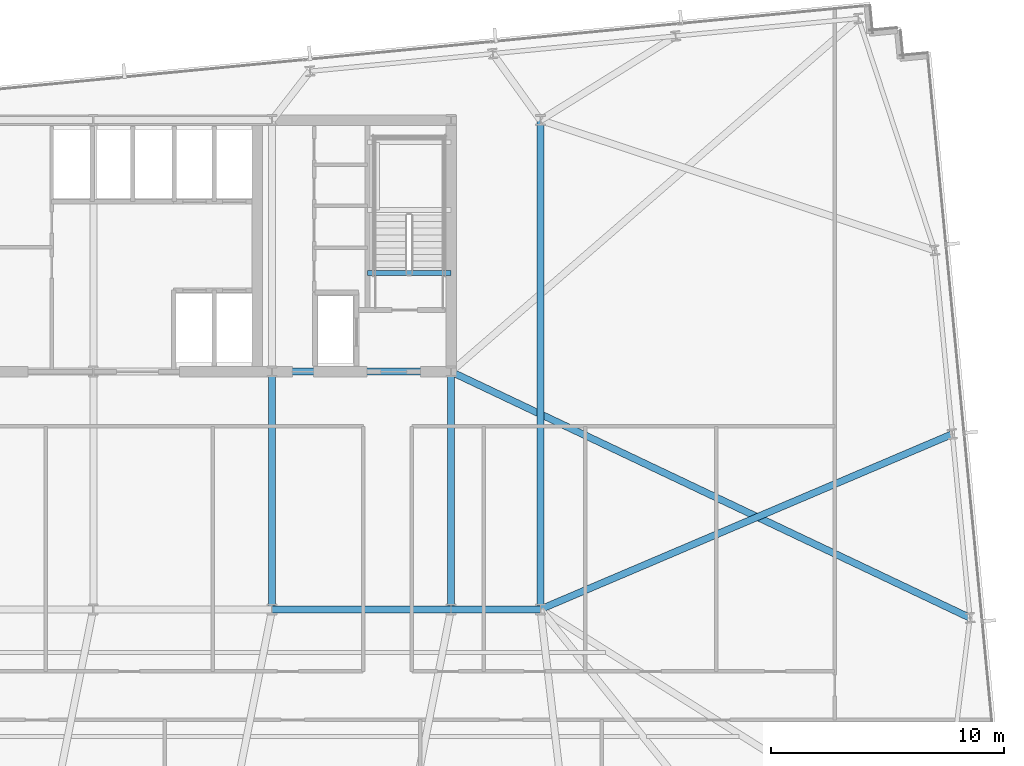
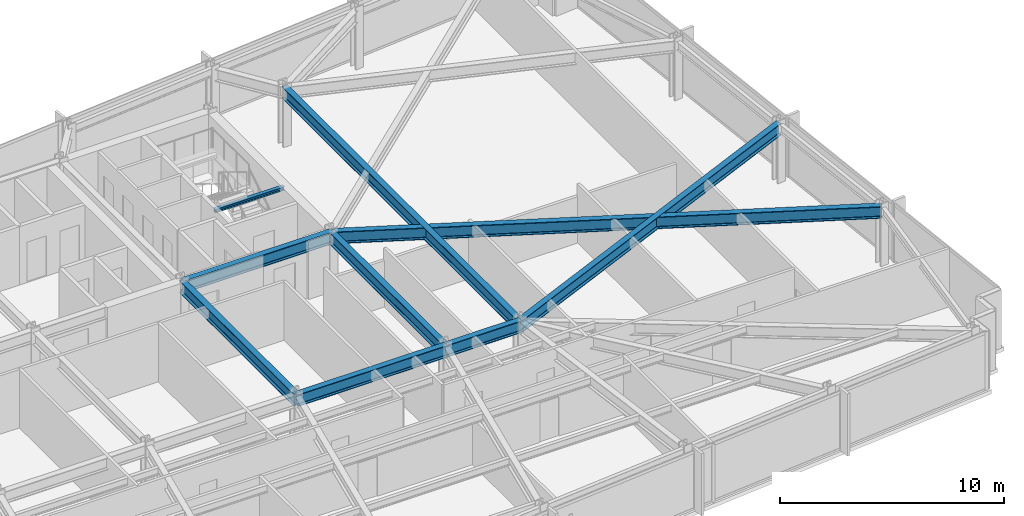
# One storey, part 15 of 33: 9 beams.
"""IFC4 building model written with IfcOpenShell, lengths in metres."""

from ifc_helpers import new_model, si_unit, direction, frame, origin, origin_2d, place, context, subcontext, project, spatial, i_section, extrude, material, material_profile, profile_set, type_object, element, save


model = new_model("IFC4")

# Units and contexts
model_context = context("Model", 3, precision=1e-05, world=origin(), true_north=direction((0.0, 1.0)))
body_context = subcontext(model_context, "Body", "Model", "MODEL_VIEW")
ifc_project = project(units=[si_unit("LENGTHUNIT", "METRE"), si_unit("AREAUNIT", "SQUARE_METRE"), si_unit("VOLUMEUNIT", "CUBIC_METRE"), si_unit("PLANEANGLEUNIT", "RADIAN"), si_unit("MASSUNIT", "GRAM", prefix="KILO")], contexts=[model_context])

# Site, building, storey
site_placement = place(None, origin())
site = spatial("IfcSite", under=ifc_project, at=site_placement, CompositionType="ELEMENT")
building_placement = place(site_placement, origin())
building = spatial("IfcBuilding", under=site, at=building_placement, Name="Yelkora Congress Tower", CompositionType="ELEMENT")
storey_placement = place(building_placement, frame((0.0, 0.0, 127.10009765625)))
storey = spatial("IfcBuildingStorey", under=building, at=storey_placement, Name="L34", CompositionType="ELEMENT", Elevation=127.10009765625)

# Beams
ifc_material = material(Name="Steel S355J2", Category="steel")
ifc_material_profile_1 = material_profile(ifc_material, i_section(OverallWidth=0.300048828125, OverallDepth=0.64990234375, WebThickness=0.01611328125, FlangeThickness=0.031005859375, FilletRadius=0.027099609375, at=origin_2d()), Name="HEB 650")
ifc_profile_set_1 = profile_set([ifc_material_profile_1], Name="Steel S355J2")
beam_type_1 = type_object("IfcBeamType", Name="BM-GIRD-HEB650", PredefinedType="BEAM", material=ifc_profile_set_1)
beam_1_placement = place(storey_placement, frame((46.080078125, 25.199951171875, 2.85498046875), z_axis=(1.0, 0.0, 0.0), x_axis=(0.0, 1.0, 0.0)))
element("IfcBeam", 1, at=beam_1_placement, inside=storey, type_object=beam_type_1, Name="L34 Spine Grid D Girder 5", PredefinedType="BEAM", context=body_context, shape_type="SweptSolid", body=[
    extrude(i_section(OverallWidth=0.300048828125, OverallDepth=0.64990234375, WebThickness=0.01611328125, FlangeThickness=0.031005859375, FilletRadius=0.027099609375, at=origin_2d()), origin(), (0.0, 0.0, 1.0), 7.679931640625),
])
beam_2_placement = place(storey_placement, frame((53.760009765625, 25.199951171875, 2.85498046875), z_axis=(1.0, 0.0, 0.0), x_axis=(0.0, 1.0, 0.0)))
element("IfcBeam", 2, at=beam_2_placement, inside=storey, type_object=beam_type_1, Name="L34 Spine Grid D Girder 6", PredefinedType="BEAM", context=body_context, shape_type="SweptSolid", body=[
    extrude(i_section(OverallWidth=0.300048828125, OverallDepth=0.64990234375, WebThickness=0.01611328125, FlangeThickness=0.031005859375, FilletRadius=0.027099609375, at=origin_2d()), origin(), (0.0, 0.0, 1.0), 3.840087890625),
])
beam_3_placement = place(storey_placement, frame((46.080078125, 35.39990234375, 2.85498046875), z_axis=(1.0, 0.0, 0.0), x_axis=(0.0, 1.0, 0.0)))
element("IfcBeam", 3, at=beam_3_placement, inside=storey, type_object=beam_type_1, Name="L34 Core South Girder 4", PredefinedType="BEAM", context=body_context, shape_type="SweptSolid", body=[
    extrude(i_section(OverallWidth=0.300048828125, OverallDepth=0.64990234375, WebThickness=0.01611328125, FlangeThickness=0.031005859375, FilletRadius=0.027099609375, at=origin_2d()), origin(), (0.0, 0.0, 1.0), 7.679931640625),
])
for number, where, z_axis, x_axis, name in (
    (4, (46.080078125, 25.199951171875, 2.85498046875), (0.0, 1.0, 0.0), (-1.0, 0.0, 0.0), "L34 Core Tie Girder MC-D4"),
    (5, (53.760009765625, 25.199951171875, 2.85498046875), (0.0, 1.0, 0.0), (-1.0, 0.0, 0.0), "L34 Core Tie Girder MC-D5"),
):
    element("IfcBeam", number, at=place(storey_placement, frame(where, z_axis=z_axis, x_axis=x_axis)), inside=storey, type_object=beam_type_1, Name=name, PredefinedType="BEAM", context=body_context, shape_type="SweptSolid", body=[
        extrude(i_section(OverallWidth=0.300048828125, OverallDepth=0.64990234375, WebThickness=0.01611328125, FlangeThickness=0.031005859375, FilletRadius=0.027099609375, at=origin_2d()), origin(), (0.0, 0.0, 1.0), 10.199951171875),
    ])
beam_4_placement = place(storey_placement, frame((57.60009765625, 25.199951171875, 2.85498046875), z_axis=(0.0, 1.0, 0.0), x_axis=(-1.0, 0.0, 0.0)))
element("IfcBeam", 6, at=beam_4_placement, inside=storey, type_object=beam_type_1, Name="L34 Neck Flank Girder MC-F2", PredefinedType="BEAM", context=body_context, shape_type="SweptSolid", body=[
    extrude(i_section(OverallWidth=0.300048828125, OverallDepth=0.64990234375, WebThickness=0.01611328125, FlangeThickness=0.031005859375, FilletRadius=0.027099609375, at=origin_2d()), origin(), (0.0, 0.0, 1.0), 21.0),
])
beam_5_placement = place(storey_placement, frame((76.041259765625, 24.83349609375, 2.85498046875), z_axis=(-0.903547447445, 0.428488051427, 0.0), x_axis=(-0.428488051427, -0.903547447445, 0.0)))
element("IfcBeam", 7, at=beam_5_placement, inside=storey, type_object=beam_type_1, Name="L34 Primary Frame Girder E01", PredefinedType="BEAM", context=body_context, shape_type="SweptSolid", body=[
    extrude(i_section(OverallWidth=0.300048828125, OverallDepth=0.64990234375, WebThickness=0.01611328125, FlangeThickness=0.031005859375, FilletRadius=0.027099609375, at=origin_2d()), origin(), (0.0, 0.0, 1.0), 24.65966796875),
])
beam_6_placement = place(storey_placement, frame((75.28173828125, 32.721923828125, 2.85498046875), z_axis=(-0.920194564302, -0.391461318432, 0.0), x_axis=(0.391461318432, -0.920194564302, 0.0)))
element("IfcBeam", 8, at=beam_6_placement, inside=storey, type_object=beam_type_1, Name="L34 Primary Frame Girder E02", PredefinedType="BEAM", context=body_context, shape_type="SweptSolid", body=[
    extrude(i_section(OverallWidth=0.300048828125, OverallDepth=0.64990234375, WebThickness=0.01611328125, FlangeThickness=0.031005859375, FilletRadius=0.027099609375, at=origin_2d()), origin(), (0.0, 0.0, 1.0), 19.215087890625),
])
ifc_material_profile_2 = material_profile(ifc_material, i_section(OverallWidth=0.199951171875, OverallDepth=0.18994140625, WebThickness=0.006591796875, FlangeThickness=0.010009765625, FilletRadius=0.01806640625, at=origin_2d()), Name="HEA 200")
ifc_profile_set_2 = profile_set([ifc_material_profile_2], Name="Steel S355J2")
beam_type_2 = type_object("IfcBeamType", Name="BM-LAND-HEA200", PredefinedType="BEAM", material=ifc_profile_set_2)
beam_7_placement = place(storey_placement, frame((50.179931640625, 39.639892578125, 2.947265625), z_axis=(1.0, 0.0, 0.0), x_axis=(0.0, 1.0, 0.0)))
element("IfcBeam", 9, at=beam_7_placement, inside=storey, type_object=beam_type_2, Name="ST-02 L34 Floor Arrival Stringer Header Beam", PredefinedType="BEAM", context=body_context, shape_type="SweptSolid", body=[
    extrude(i_section(OverallWidth=0.199951171875, OverallDepth=0.18994140625, WebThickness=0.006591796875, FlangeThickness=0.010009765625, FilletRadius=0.01806640625, at=origin_2d()), origin(), (0.0, 0.0, 1.0), 3.580078125),
])

save(model, "model.ifc")
